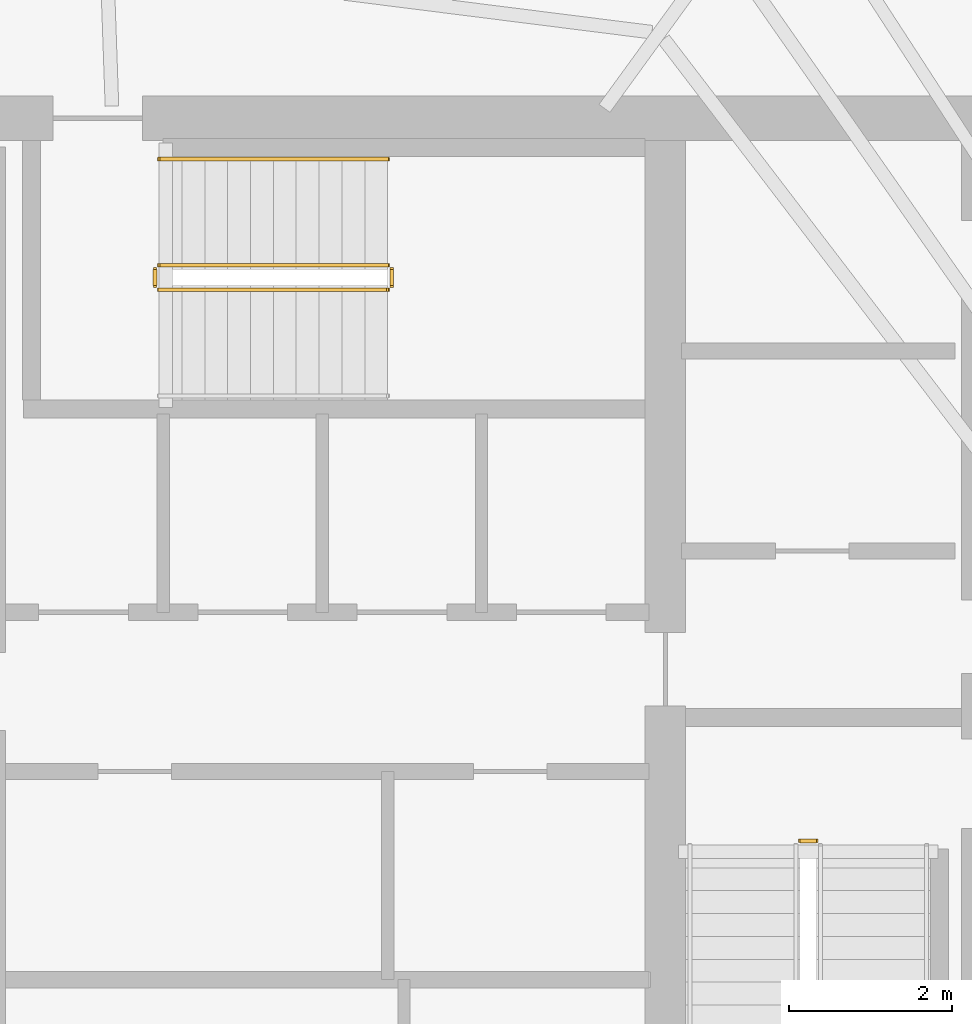
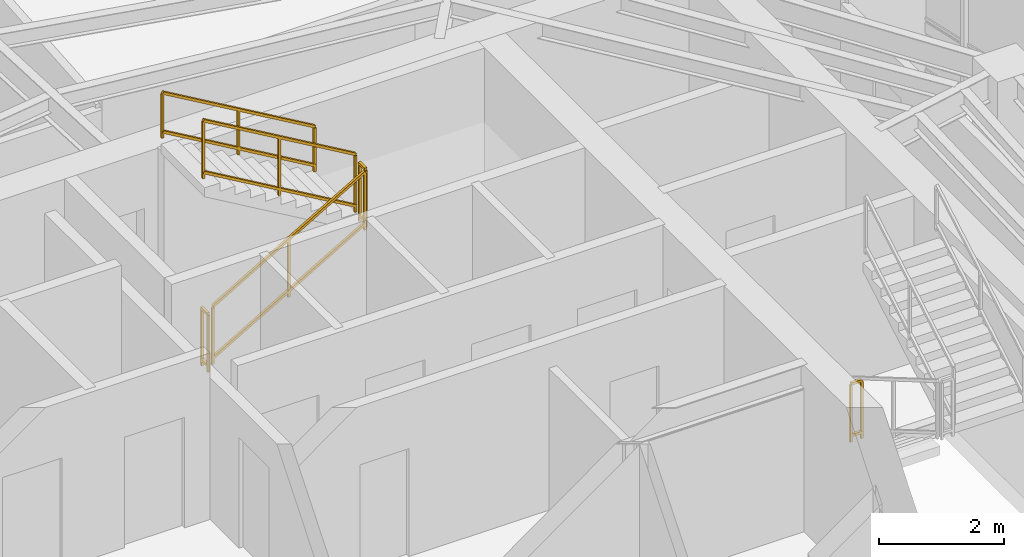
# One storey, part 19 of 19: 6 railings.
"""IFC4 building model written with IfcOpenShell, lengths in metres."""

from ifc_helpers import new_model, si_unit, direction, frame, origin, origin_2d, place, context, subcontext, project, spatial, rectangle, extrude, material, type_object, element, save


model = new_model("IFC4")

# Units and contexts
model_context = context("Model", 3, precision=1e-05, world=origin(), true_north=direction((0.0, 1.0)))
body_context = subcontext(model_context, "Body", "Model", "MODEL_VIEW")
ifc_project = project(units=[si_unit("LENGTHUNIT", "METRE"), si_unit("AREAUNIT", "SQUARE_METRE"), si_unit("VOLUMEUNIT", "CUBIC_METRE"), si_unit("PLANEANGLEUNIT", "RADIAN"), si_unit("MASSUNIT", "GRAM", prefix="KILO")], contexts=[model_context])

# Site, building, storey
site_placement = place(None, origin())
site = spatial("IfcSite", under=ifc_project, at=site_placement, CompositionType="ELEMENT")
building_placement = place(site_placement, origin())
building = spatial("IfcBuilding", under=site, at=building_placement, Name="Qarnah Convention Tower", CompositionType="ELEMENT")
storey_placement = place(building_placement, frame((0.0, 0.0, 228.300048828125)))
storey = spatial("IfcBuildingStorey", under=building, at=storey_placement, Name="L61", CompositionType="ELEMENT", Elevation=228.300048828125)

# Railings
ifc_material = material(Name="Structural steel S355JR", Category="steel")
railing_type_1 = type_object("IfcRailingType", Name="RL-STAIR-GUARD-1150", PredefinedType="GUARDRAIL", material=ifc_material)
railing_1_placement = place(storey_placement, frame((45.35009765625, 25.35009765625, 0.0)))
element("IfcRailing", 1, at=railing_1_placement, inside=storey, type_object=railing_type_1, Name="L61 ST-2 stair guard 4", PredefinedType="GUARDRAIL", context=body_context, shape_type="SweptSolid", body=[
    extrude(rectangle(XDim=0.048095703125, YDim=0.048095703125, at=origin_2d()), frame((0.0, 0.0, 1.1259765625), z_axis=(1.0, 0.0, 0.0), x_axis=(0.0, 1.0, 0.0)), (0.0, 0.0, 1.0), 0.199951171875),
    extrude(rectangle(XDim=0.048095703125, YDim=0.048095703125, at=origin_2d()), frame((0.0, 0.0, 0.1201171875), z_axis=(1.0, 0.0, 0.0), x_axis=(0.0, 1.0, 0.0)), (0.0, 0.0, 1.0), 0.199951171875),
    extrude(rectangle(XDim=0.0419921875, YDim=0.0419921875, at=origin_2d()), origin(), (0.0, 0.0, 1.0), 1.101806640625),
    extrude(rectangle(XDim=0.0419921875, YDim=0.0419921875, at=origin_2d()), frame((0.199951171875, 0.0, 0.0)), (0.0, 0.0, 1.0), 1.101806640625),
])
railing_2_placement = place(storey_placement, frame((37.5, 32.10009765625, 0.16357421875)))
element("IfcRailing", 2, at=railing_2_placement, inside=storey, type_object=railing_type_1, Name="L61 ST-3 stair guard 1", PredefinedType="GUARDRAIL", context=body_context, shape_type="SweptSolid", body=[
    extrude(rectangle(XDim=0.048095703125, YDim=0.048095703125, at=origin_2d()), frame((0.0, 0.0, 1.1259765625), z_axis=(0.863360870873, 0.0, 0.504586966384), x_axis=(0.0, 1.0, 0.0)), (0.0, 0.0, 1.0), 3.2431640625),
    extrude(rectangle(XDim=0.048095703125, YDim=0.048095703125, at=origin_2d()), frame((0.0, 0.0, 0.1201171875), z_axis=(0.863360870873, 0.0, 0.504586966384), x_axis=(0.0, 1.0, 0.0)), (0.0, 0.0, 1.0), 3.2431640625),
    extrude(rectangle(XDim=0.0419921875, YDim=0.0419921875, at=origin_2d()), origin(), (0.0, 0.0, 1.0), 1.101806640625),
    extrude(rectangle(XDim=0.0419921875, YDim=0.0419921875, at=origin_2d()), frame((1.39990234375, 0.0, 0.818359375)), (0.0, 0.0, 1.0), 1.101806640625),
    extrude(rectangle(XDim=0.0419921875, YDim=0.0419921875, at=origin_2d()), frame((2.800048828125, 0.0, 1.636474609375)), (0.0, 0.0, 1.0), 1.101806640625),
])
railing_3_placement = place(storey_placement, frame((40.35009765625, 32.14990234375, 1.800048828125)))
element("IfcRailing", 3, at=railing_3_placement, inside=storey, type_object=railing_type_1, Name="L61 ST-3 stair guard 2", PredefinedType="GUARDRAIL", context=body_context, shape_type="SweptSolid", body=[
    extrude(rectangle(XDim=0.048095703125, YDim=0.048095703125, at=origin_2d()), frame((0.0, 0.0, 1.1259765625), z_axis=(0.0, 1.0, 0.0), x_axis=(-1.0, 0.0, 0.0)), (0.0, 0.0, 1.0), 0.2001953125),
    extrude(rectangle(XDim=0.048095703125, YDim=0.048095703125, at=origin_2d()), frame((0.0, 0.0, 0.1201171875), z_axis=(0.0, 1.0, 0.0), x_axis=(-1.0, 0.0, 0.0)), (0.0, 0.0, 1.0), 0.2001953125),
    extrude(rectangle(XDim=0.0419921875, YDim=0.0419921875, at=origin_2d()), origin(), (0.0, 0.0, 1.0), 1.101806640625),
    extrude(rectangle(XDim=0.0419921875, YDim=0.0419921875, at=origin_2d()), frame((0.0, 0.2001953125, 0.0)), (0.0, 0.0, 1.0), 1.101806640625),
])
railing_4_placement = place(storey_placement, frame((40.300048828125, 32.39990234375, 1.963623046875)))
element("IfcRailing", 4, at=railing_4_placement, inside=storey, type_object=railing_type_1, Name="L61 ST-3 stair guard 3", PredefinedType="GUARDRAIL", context=body_context, shape_type="SweptSolid", body=[
    extrude(rectangle(XDim=0.048095703125, YDim=0.048095703125, at=origin_2d()), frame((0.0, 0.0, 1.1259765625), z_axis=(-0.863393664356, 0.0, 0.504530851732), x_axis=(0.0, -1.0, 0.0)), (0.0, 0.0, 1.0), 3.2431640625),
    extrude(rectangle(XDim=0.048095703125, YDim=0.048095703125, at=origin_2d()), frame((0.0, 0.0, 0.1201171875), z_axis=(-0.863393664356, 0.0, 0.504530851732), x_axis=(0.0, -1.0, 0.0)), (0.0, 0.0, 1.0), 3.2431640625),
    extrude(rectangle(XDim=0.0419921875, YDim=0.0419921875, at=origin_2d()), origin(), (0.0, 0.0, 1.0), 1.101806640625),
    extrude(rectangle(XDim=0.0419921875, YDim=0.0419921875, at=origin_2d()), frame((-1.39990234375, 0.0, 0.818115234375)), (0.0, 0.0, 1.0), 1.101806640625),
    extrude(rectangle(XDim=0.0419921875, YDim=0.0419921875, at=origin_2d()), frame((-2.800048828125, 0.0, 1.63623046875)), (0.0, 0.0, 1.0), 1.101806640625),
])
railing_5_placement = place(storey_placement, frame((37.449951171875, 32.14990234375, 0.0)))
element("IfcRailing", 5, at=railing_5_placement, inside=storey, type_object=railing_type_1, Name="L61 ST-3 stair guard 4", PredefinedType="GUARDRAIL", context=body_context, shape_type="SweptSolid", body=[
    extrude(rectangle(XDim=0.048095703125, YDim=0.048095703125, at=origin_2d()), frame((0.0, 0.0, 1.1259765625), z_axis=(0.0, 1.0, 0.0), x_axis=(-1.0, 0.0, 0.0)), (0.0, 0.0, 1.0), 0.2001953125),
    extrude(rectangle(XDim=0.048095703125, YDim=0.048095703125, at=origin_2d()), frame((0.0, 0.0, 0.1201171875), z_axis=(0.0, 1.0, 0.0), x_axis=(-1.0, 0.0, 0.0)), (0.0, 0.0, 1.0), 0.2001953125),
    extrude(rectangle(XDim=0.0419921875, YDim=0.0419921875, at=origin_2d()), origin(), (0.0, 0.0, 1.0), 1.101806640625),
    extrude(rectangle(XDim=0.0419921875, YDim=0.0419921875, at=origin_2d()), frame((0.0, 0.2001953125, 0.0)), (0.0, 0.0, 1.0), 1.101806640625),
])
railing_type_2 = type_object("IfcRailingType", Name="RL-STAIR-HAND-900", PredefinedType="HANDRAIL", material=ifc_material)
railing_6_placement = place(storey_placement, frame((40.300048828125, 33.699951171875, 1.963623046875)))
element("IfcRailing", 6, at=railing_6_placement, inside=storey, type_object=railing_type_2, Name="L61 ST-3 stair handrail 2", PredefinedType="HANDRAIL", context=body_context, shape_type="SweptSolid", body=[
    extrude(rectangle(XDim=0.048095703125, YDim=0.048095703125, at=origin_2d()), frame((0.0, 0.0, 0.8759765625), z_axis=(-0.863393664356, 0.0, 0.504530851732), x_axis=(0.0, -1.0, 0.0)), (0.0, 0.0, 1.0), 3.2431640625),
    extrude(rectangle(XDim=0.048095703125, YDim=0.048095703125, at=origin_2d()), frame((0.0, 0.0, 0.1201171875), z_axis=(-0.863393664356, 0.0, 0.504530851732), x_axis=(0.0, -1.0, 0.0)), (0.0, 0.0, 1.0), 3.2431640625),
    extrude(rectangle(XDim=0.0419921875, YDim=0.0419921875, at=origin_2d()), origin(), (0.0, 0.0, 1.0), 0.851806640625),
    extrude(rectangle(XDim=0.0419921875, YDim=0.0419921875, at=origin_2d()), frame((-1.39990234375, 0.0, 0.818115234375)), (0.0, 0.0, 1.0), 0.851806640625),
    extrude(rectangle(XDim=0.0419921875, YDim=0.0419921875, at=origin_2d()), frame((-2.800048828125, 0.0, 1.63623046875)), (0.0, 0.0, 1.0), 0.851806640625),
])

save(model, "model.ifc")
